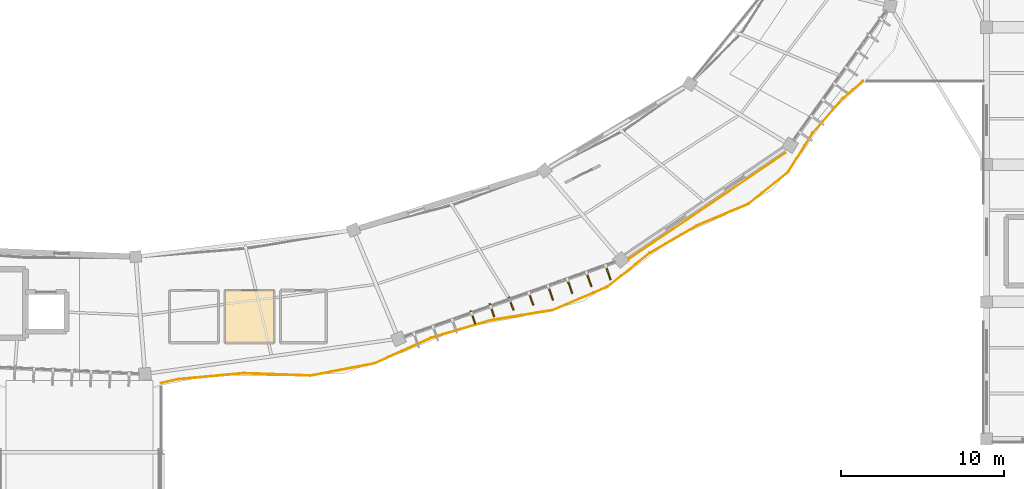
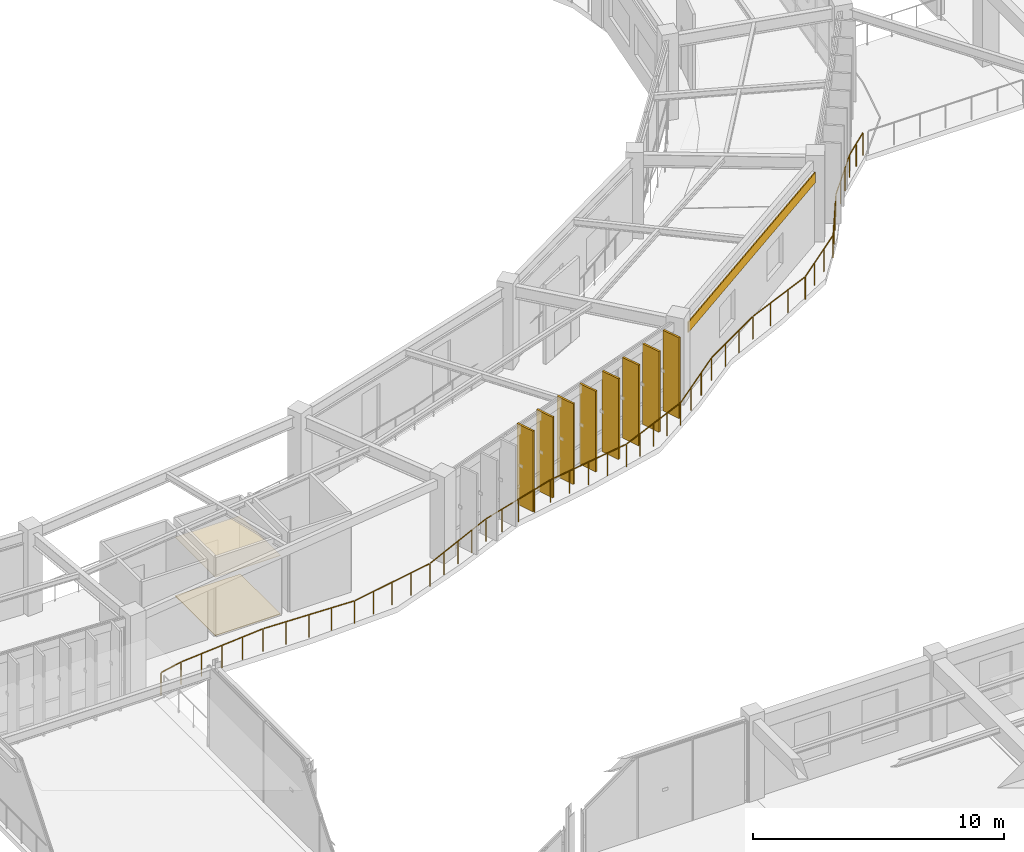
# One storey, part 145 of 152: 8 shading devices, 3 coverings, 1 railing.
"""IFC4 building model written with IfcOpenShell, lengths in metres."""

from ifc_helpers import new_model, si_unit, direction, frame, origin, origin_2d, place, context, subcontext, project, spatial, polyline, rectangle, circle, outline, extrude, material, layer, layer_set, type_object, element, save


model = new_model("IFC4")

# Units and contexts
model_context = context("Model", 3, precision=1e-05, world=origin(), true_north=direction((0.0, 1.0)))
body_context = subcontext(model_context, "Body", "Model", "MODEL_VIEW")
ifc_project = project(units=[si_unit("LENGTHUNIT", "METRE"), si_unit("AREAUNIT", "SQUARE_METRE"), si_unit("VOLUMEUNIT", "CUBIC_METRE"), si_unit("PLANEANGLEUNIT", "RADIAN"), si_unit("MASSUNIT", "GRAM", prefix="KILO"), si_unit("THERMODYNAMICTEMPERATUREUNIT", "KELVIN"), si_unit("POWERUNIT", "WATT")], contexts=[model_context])

# Site, building, storey
site_placement = place(None, origin())
site = spatial("IfcSite", under=ifc_project, at=site_placement, CompositionType="ELEMENT")
building_placement = place(site_placement, origin())
building = spatial("IfcBuilding", under=site, at=building_placement, Name="Darbajah Civic Hall", CompositionType="ELEMENT")
storey_placement = place(building_placement, frame((0.0, 0.0, 5.39990234375)))
storey = spatial("IfcBuildingStorey", under=building, at=storey_placement, Name="L01", CompositionType="ELEMENT", Elevation=5.39990234375)

# Railing
ifc_material_1 = material(Name="Anodised Bronze Aluminium and Laminated Safety Glass", Category="aluminium")
railing_type = type_object("IfcRailingType", Name="Exterior Terrace Balustrade Guard", PredefinedType="BALUSTRADE", material=ifc_material_1)
railing_placement = place(storey_placement, frame((94.080078125, 59.826171875, 0.0)))
element("IfcRailing", 1, at=railing_placement, inside=storey, type_object=railing_type, Name="L01 oval slab edge balustrade 2", PredefinedType="BALUSTRADE", context=body_context, shape_type="SweptSolid", body=[
    extrude(circle(Radius=0.02392578125, at=origin_2d()), frame((0.026611328125, 0.006103515625, 1.09619140625), z_axis=(0.975548355346, 0.219784909359, 0.0), x_axis=(-0.219784909359, 0.975548355346, 0.0)), (0.0, 0.0, 1.0), 1.03173828125),
    extrude(circle(Radius=0.02392578125, at=origin_2d()), frame((1.0869140625, 0.2412109375, 1.09619140625), z_axis=(0.995805243109, 0.091498184665, 0.0), x_axis=(-0.091498184665, 0.995805243109, 0.0)), (0.0, 0.0, 1.0), 3.94775390625),
    extrude(circle(Radius=0.02392578125, at=origin_2d()), frame((5.07275390625, 0.60400390625, 1.09619140625), z_axis=(0.999393412759, -0.034825371975, 0.0), x_axis=(0.034825371975, 0.999393412759, 0.0)), (0.0, 0.0, 1.0), 4.067626953125),
    extrude(circle(Radius=0.02392578125, at=origin_2d()), frame((9.19189453125, 0.466552734375, 1.09619140625), z_axis=(0.982331016823, 0.187151738938, 0.0), x_axis=(-0.187151738938, 0.982331016823, 0.0)), (0.0, 0.0, 1.0), 3.908447265625),
    extrude(circle(Radius=0.02392578125, at=origin_2d()), frame((13.0830078125, 1.21435546875, 1.09619140625), z_axis=(0.911666586506, 0.410930693728, 0.0), x_axis=(-0.410930693728, 0.911666586506, 0.0)), (0.0, 0.0, 1.0), 3.764892578125),
    extrude(circle(Radius=0.02392578125, at=origin_2d()), frame((16.56640625, 2.780517578125, 1.09619140625), z_axis=(0.958876172483, 0.283824744949, 0.0), x_axis=(-0.283824744949, 0.958876172483, 0.0)), (0.0, 0.0, 1.0), 3.698486328125),
    extrude(circle(Radius=0.02392578125, at=origin_2d()), frame((20.165771484375, 3.84228515625, 1.09619140625), z_axis=(0.986794176756, 0.161979173722, 0.0), x_axis=(-0.161979173722, 0.986794176756, 0.0)), (0.0, 0.0, 1.0), 3.840087890625),
    extrude(circle(Radius=0.02392578125, at=origin_2d()), frame((24.00732421875, 4.4794921875, 1.09619140625), z_axis=(0.919827076972, 0.39232403504, 0.0), x_axis=(-0.39232403504, 0.919827076972, 0.0)), (0.0, 0.0, 1.0), 3.548583984375),
    extrude(circle(Radius=0.02392578125, at=origin_2d()), frame((27.31787109375, 5.8994140625, 1.09619140625), z_axis=(0.78294312647, 0.622093289398, 0.0), x_axis=(-0.622093289398, 0.78294312647, 0.0)), (0.0, 0.0, 1.0), 3.302734375),
    extrude(circle(Radius=0.02392578125, at=origin_2d()), frame((29.94873046875, 7.984619140625, 1.09619140625), z_axis=(0.864437033864, 0.50274110085, 0.0), x_axis=(-0.50274110085, 0.864437033864, 0.0)), (0.0, 0.0, 1.0), 3.25146484375),
    extrude(circle(Radius=0.02392578125, at=origin_2d()), frame((32.80810546875, 9.6435546875, 1.09619140625), z_axis=(0.921421401931, 0.388564795194, 0.0), x_axis=(-0.388564795194, 0.921421401931, 0.0)), (0.0, 0.0, 1.0), 3.405517578125),
    extrude(circle(Radius=0.02392578125, at=origin_2d()), frame((35.992431640625, 10.99462890625, 1.09619140625), z_axis=(0.777536569392, 0.628837724105, 0.0), x_axis=(-0.628837724105, 0.777536569392, 0.0)), (0.0, 0.0, 1.0), 3.04345703125),
    extrude(circle(Radius=0.02392578125, at=origin_2d()), frame((38.394775390625, 12.948974609375, 1.09619140625), z_axis=(0.533469294506, 0.84581943216, 0.0), x_axis=(-0.84581943216, 0.533469294506, 0.0)), (0.0, 0.0, 1.0), 2.787353515625),
    extrude(circle(Radius=0.02392578125, at=origin_2d()), frame((39.914306640625, 15.35009765625, 1.09619140625), z_axis=(0.65871551465, 0.752392099081, 0.0), x_axis=(-0.752392099081, 0.65871551465, 0.0)), (0.0, 0.0, 1.0), 2.7314453125),
    extrude(circle(Radius=0.02392578125, at=origin_2d()), frame((41.751953125, 17.443603515625, 1.09619140625), z_axis=(0.755298476399, 0.655380966728, 0.0), x_axis=(-0.655380966728, 0.755298476399, 0.0)), (0.0, 0.0, 1.0), 1.5751953125),
    extrude(circle(Radius=0.02099609375, at=origin_2d()), origin(), (0.0, 0.0, 1.0), 1.068115234375),
    extrude(circle(Radius=0.02099609375, at=origin_2d()), frame((1.059814453125, 0.23876953125, 0.0)), (0.0, 0.0, 1.0), 1.068115234375),
    extrude(circle(Radius=0.02099609375, at=origin_2d()), frame((2.05615234375, 0.330322265625, 0.0)), (0.0, 0.0, 1.0), 1.068115234375),
    extrude(circle(Radius=0.02099609375, at=origin_2d()), frame((3.052734375, 0.421875, 0.0)), (0.0, 0.0, 1.0), 1.068115234375),
    extrude(circle(Radius=0.02099609375, at=origin_2d()), frame((4.049072265625, 0.513427734375, 0.0)), (0.0, 0.0, 1.0), 1.068115234375),
    extrude(circle(Radius=0.02099609375, at=origin_2d()), frame((5.04541015625, 0.60498046875, 0.0)), (0.0, 0.0, 1.0), 1.068115234375),
    extrude(circle(Radius=0.02099609375, at=origin_2d()), frame((6.0751953125, 0.569091796875, 0.0)), (0.0, 0.0, 1.0), 1.068115234375),
    extrude(circle(Radius=0.02099609375, at=origin_2d()), frame((7.105224609375, 0.533203125, 0.0)), (0.0, 0.0, 1.0), 1.068115234375),
    extrude(circle(Radius=0.02099609375, at=origin_2d()), frame((8.13525390625, 0.497314453125, 0.0)), (0.0, 0.0, 1.0), 1.068115234375),
    extrude(circle(Radius=0.02099609375, at=origin_2d()), frame((9.1650390625, 0.46142578125, 0.0)), (0.0, 0.0, 1.0), 1.068115234375),
    extrude(circle(Radius=0.02099609375, at=origin_2d()), frame((10.13818359375, 0.64697265625, 0.0)), (0.0, 0.0, 1.0), 1.068115234375),
    extrude(circle(Radius=0.02099609375, at=origin_2d()), frame((11.111572265625, 0.832275390625, 0.0)), (0.0, 0.0, 1.0), 1.068115234375),
    extrude(circle(Radius=0.02099609375, at=origin_2d()), frame((12.0849609375, 1.017578125, 0.0)), (0.0, 0.0, 1.0), 1.068115234375),
    extrude(circle(Radius=0.02099609375, at=origin_2d()), frame((13.05810546875, 1.203125, 0.0)), (0.0, 0.0, 1.0), 1.068115234375),
    extrude(circle(Radius=0.02099609375, at=origin_2d()), frame((13.9287109375, 1.595458984375, 0.0)), (0.0, 0.0, 1.0), 1.068115234375),
    extrude(circle(Radius=0.02099609375, at=origin_2d()), frame((14.79931640625, 1.98779296875, 0.0)), (0.0, 0.0, 1.0), 1.068115234375),
    extrude(circle(Radius=0.02099609375, at=origin_2d()), frame((15.669677734375, 2.38037109375, 0.0)), (0.0, 0.0, 1.0), 1.068115234375),
    extrude(circle(Radius=0.02099609375, at=origin_2d()), frame((16.540283203125, 2.772705078125, 0.0)), (0.0, 0.0, 1.0), 1.068115234375),
    extrude(circle(Radius=0.02099609375, at=origin_2d()), frame((17.43994140625, 3.0390625, 0.0)), (0.0, 0.0, 1.0), 1.068115234375),
    extrude(circle(Radius=0.02099609375, at=origin_2d()), frame((18.339599609375, 3.30517578125, 0.0)), (0.0, 0.0, 1.0), 1.068115234375),
    extrude(circle(Radius=0.02099609375, at=origin_2d()), frame((19.2392578125, 3.571533203125, 0.0)), (0.0, 0.0, 1.0), 1.068115234375),
    extrude(circle(Radius=0.02099609375, at=origin_2d()), frame((20.138916015625, 3.837890625, 0.0)), (0.0, 0.0, 1.0), 1.068115234375),
    extrude(circle(Radius=0.02099609375, at=origin_2d()), frame((21.099609375, 3.99560546875, 0.0)), (0.0, 0.0, 1.0), 1.068115234375),
    extrude(circle(Radius=0.02099609375, at=origin_2d()), frame((22.060546875, 4.1533203125, 0.0)), (0.0, 0.0, 1.0), 1.068115234375),
    extrude(circle(Radius=0.02099609375, at=origin_2d()), frame((23.021484375, 4.31103515625, 0.0)), (0.0, 0.0, 1.0), 1.068115234375),
    extrude(circle(Radius=0.02099609375, at=origin_2d()), frame((23.982177734375, 4.46875, 0.0)), (0.0, 0.0, 1.0), 1.068115234375),
    extrude(circle(Radius=0.02099609375, at=origin_2d()), frame((24.810791015625, 4.822265625, 0.0)), (0.0, 0.0, 1.0), 1.068115234375),
    extrude(circle(Radius=0.02099609375, at=origin_2d()), frame((25.63916015625, 5.175537109375, 0.0)), (0.0, 0.0, 1.0), 1.068115234375),
    extrude(circle(Radius=0.02099609375, at=origin_2d()), frame((26.4677734375, 5.52880859375, 0.0)), (0.0, 0.0, 1.0), 1.068115234375),
    extrude(circle(Radius=0.02099609375, at=origin_2d()), frame((27.29638671875, 5.88232421875, 0.0)), (0.0, 0.0, 1.0), 1.068115234375),
    extrude(circle(Radius=0.02099609375, at=origin_2d()), frame((28.172607421875, 6.57861328125, 0.0)), (0.0, 0.0, 1.0), 1.068115234375),
    extrude(circle(Radius=0.02099609375, at=origin_2d()), frame((29.048828125, 7.274658203125, 0.0)), (0.0, 0.0, 1.0), 1.068115234375),
    extrude(circle(Radius=0.02099609375, at=origin_2d()), frame((29.925048828125, 7.970947265625, 0.0)), (0.0, 0.0, 1.0), 1.068115234375),
    extrude(circle(Radius=0.02099609375, at=origin_2d()), frame((30.877685546875, 8.52490234375, 0.0)), (0.0, 0.0, 1.0), 1.068115234375),
    extrude(circle(Radius=0.02099609375, at=origin_2d()), frame((31.830322265625, 9.0791015625, 0.0)), (0.0, 0.0, 1.0), 1.068115234375),
    extrude(circle(Radius=0.02099609375, at=origin_2d()), frame((32.782958984375, 9.633056640625, 0.0)), (0.0, 0.0, 1.0), 1.068115234375),
    extrude(circle(Radius=0.02099609375, at=origin_2d()), frame((33.845703125, 10.081298828125, 0.0)), (0.0, 0.0, 1.0), 1.068115234375),
    extrude(circle(Radius=0.02099609375, at=origin_2d()), frame((34.908447265625, 10.529296875, 0.0)), (0.0, 0.0, 1.0), 1.068115234375),
    extrude(circle(Radius=0.02099609375, at=origin_2d()), frame((35.97119140625, 10.9775390625, 0.0)), (0.0, 0.0, 1.0), 1.068115234375),
    extrude(circle(Radius=0.02099609375, at=origin_2d()), frame((36.774169921875, 11.626953125, 0.0)), (0.0, 0.0, 1.0), 1.068115234375),
    extrude(circle(Radius=0.02099609375, at=origin_2d()), frame((37.5771484375, 12.2763671875, 0.0)), (0.0, 0.0, 1.0), 1.068115234375),
    extrude(circle(Radius=0.02099609375, at=origin_2d()), frame((38.380126953125, 12.92578125, 0.0)), (0.0, 0.0, 1.0), 1.068115234375),
    extrude(circle(Radius=0.02099609375, at=origin_2d()), frame((38.885498046875, 13.72705078125, 0.0)), (0.0, 0.0, 1.0), 1.068115234375),
    extrude(circle(Radius=0.02099609375, at=origin_2d()), frame((39.390869140625, 14.5283203125, 0.0)), (0.0, 0.0, 1.0), 1.068115234375),
    extrude(circle(Radius=0.02099609375, at=origin_2d()), frame((39.896240234375, 15.32958984375, 0.0)), (0.0, 0.0, 1.0), 1.068115234375),
    extrude(circle(Radius=0.02099609375, at=origin_2d()), frame((40.508056640625, 16.0283203125, 0.0)), (0.0, 0.0, 1.0), 1.068115234375),
    extrude(circle(Radius=0.02099609375, at=origin_2d()), frame((41.11962890625, 16.72705078125, 0.0)), (0.0, 0.0, 1.0), 1.068115234375),
    extrude(circle(Radius=0.02099609375, at=origin_2d()), frame((41.7314453125, 17.42578125, 0.0)), (0.0, 0.0, 1.0), 1.068115234375),
    extrude(circle(Radius=0.02099609375, at=origin_2d()), frame((42.346923828125, 17.9599609375, 0.0)), (0.0, 0.0, 1.0), 1.068115234375),
    extrude(circle(Radius=0.02099609375, at=origin_2d()), frame((42.96240234375, 18.493896484375, 0.0)), (0.0, 0.0, 1.0), 1.068115234375),
])

# Coverings
ifc_material_2 = material(Name="Honed Qatari Limestone Terrazzo", Category="masonry")
ifc_layer_1 = layer(ifc_material_2, 0.030029296875, Name="Honed Qatari Limestone Terrazzo")
ifc_layer_set_1 = layer_set([ifc_layer_1], Name="Honed Qatari Limestone Terrazzo")
covering_type_1 = type_object("IfcCoveringType", Name="Honed Qatari Limestone Terrazzo Flooring", PredefinedType="FLOORING", material=ifc_layer_set_1)
covering_1_placement = place(storey_placement, origin())
element("IfcCovering", 2, at=covering_1_placement, inside=storey, type_object=covering_type_1, Name="L01 stone terrazzo flooring L01-WCF", PredefinedType="FLOORING", context=body_context, shape_type="SweptSolid", body=[
    extrude(outline(polyline([(98.0, 62.300048828125), (101.0, 62.300048828125), (101.0, 65.5), (98.0, 65.5), (98.0, 62.300048828125)])), origin(), (0.0, 0.0, 1.0), 0.030029296875),
])
ifc_material_3 = material(Name="Qatari Desert Limestone Ashlar", Category="masonry")
ifc_layer_2 = layer(ifc_material_3, 0.044921875, Name="Qatari Desert Limestone Ashlar")
ifc_layer_set_2 = layer_set([ifc_layer_2], Name="Qatari Desert Limestone Ashlar")
covering_type_2 = type_object("IfcCoveringType", Name="Limestone Facade Cladding", PredefinedType="CLADDING", material=ifc_layer_set_2)
covering_2_placement = place(storey_placement, frame((0.0, 0.0, 3.02001953125)))
element("IfcCovering", 3, at=covering_2_placement, inside=storey, type_object=covering_type_2, Name="L01 stone frieze cladding EW-V1O-L01-17", PredefinedType="CLADDING", context=body_context, shape_type="SweptSolid", body=[
    extrude(outline(polyline([(122.6845703125, 67.427490234375), (132.289794921875, 73.932861328125), (132.31494140625, 73.895751953125), (122.709716796875, 67.390380859375), (122.6845703125, 67.427490234375)])), origin(), (0.0, 0.0, 1.0), 0.5),
])
ifc_material_4 = material(Name="Perforated Acoustic Gypsum Board")
ifc_layer_3 = layer(ifc_material_4, 0.02490234375, Name="Perforated Acoustic Gypsum Board")
ifc_layer_set_3 = layer_set([ifc_layer_3], Name="Perforated Acoustic Gypsum Board")
covering_type_3 = type_object("IfcCoveringType", Name="Perforated Acoustic Gypsum Ceiling", PredefinedType="CEILING", material=ifc_layer_set_3)
covering_3_placement = place(storey_placement, frame((0.0, 0.0, 2.85009765625)))
element("IfcCovering", 4, at=covering_3_placement, inside=storey, type_object=covering_type_3, Name="L01 acoustic suspended ceiling L01-WCF", PredefinedType="CEILING", context=body_context, shape_type="SweptSolid", body=[
    extrude(outline(polyline([(98.0, 62.300048828125), (101.0, 62.300048828125), (101.0, 65.5), (98.0, 65.5), (98.0, 62.300048828125)])), origin(), (0.0, 0.0, 1.0), 0.02490234375),
])

# Shading devices
ifc_material_5 = material(Name="Bronze Anodised Aluminium and Teak Composite", Category="aluminium")
shading_device_type = type_object("IfcShadingDeviceType", Name="Vertical Bronze Timber Shading Fin", PredefinedType="USERDEFINED", material=ifc_material_5)
for number, where, z_axis, x_axis, name in (
    (5, (113.173095703125, 63.84912109375, 0.000244140625), (0.0, 0.0, 1.0), (0.334135882844, -0.94252491309, 0.0), "L01 vertical shading fin VF-16-4"),
    (6, (114.335693359375, 64.29150390625, 0.000244140625), (0.0, 0.0, 1.0), (0.334135882844, -0.94252491309, 0.0), "L01 vertical shading fin VF-16-5"),
    (7, (115.51220703125, 64.6953125, 0.000244140625), (0.0, 0.0, 1.0), (0.334135882844, -0.94252491309, 0.0), "L01 vertical shading fin VF-16-6"),
    (8, (116.722900390625, 65.001708984375, 0.000244140625), (0.0, 0.0, 1.0), (0.334135882844, -0.94252491309, 0.0), "L01 vertical shading fin VF-16-7"),
    (9, (117.935791015625, 65.302490234375, 0.000244140625), (0.0, 0.0, 1.0), (0.334135882844, -0.94252491309, 0.0), "L01 vertical shading fin VF-16-8"),
    (10, (119.108154296875, 65.718017578125, 0.000244140625), (0.0, 0.0, 1.0), (0.334135882844, -0.94252491309, 0.0), "L01 vertical shading fin VF-16-9"),
    (11, (120.2802734375, 66.13330078125, 0.000244140625), (0.0, 0.0, 1.0), (0.334135882844, -0.94252491309, 0.0), "L01 vertical shading fin VF-16-10"),
    (12, (121.452392578125, 66.548828125, 0.000244140625), (0.0, 0.0, 1.0), (0.334135882844, -0.94252491309, 0.0), "L01 vertical shading fin VF-16-11"),
):
    element("IfcShadingDevice", number, at=place(storey_placement, frame(where, z_axis=z_axis, x_axis=x_axis)), inside=storey, type_object=shading_device_type, Name=name, ObjectType="VERTICAL FIN", PredefinedType="USERDEFINED", context=body_context, shape_type="SweptSolid", body=[
        extrude(rectangle(XDim=0.85009765625, YDim=0.090087890625, at=origin_2d()), origin(), (0.0, 0.0, 1.0), 3.919921875),
    ])

save(model, "model.ifc")
